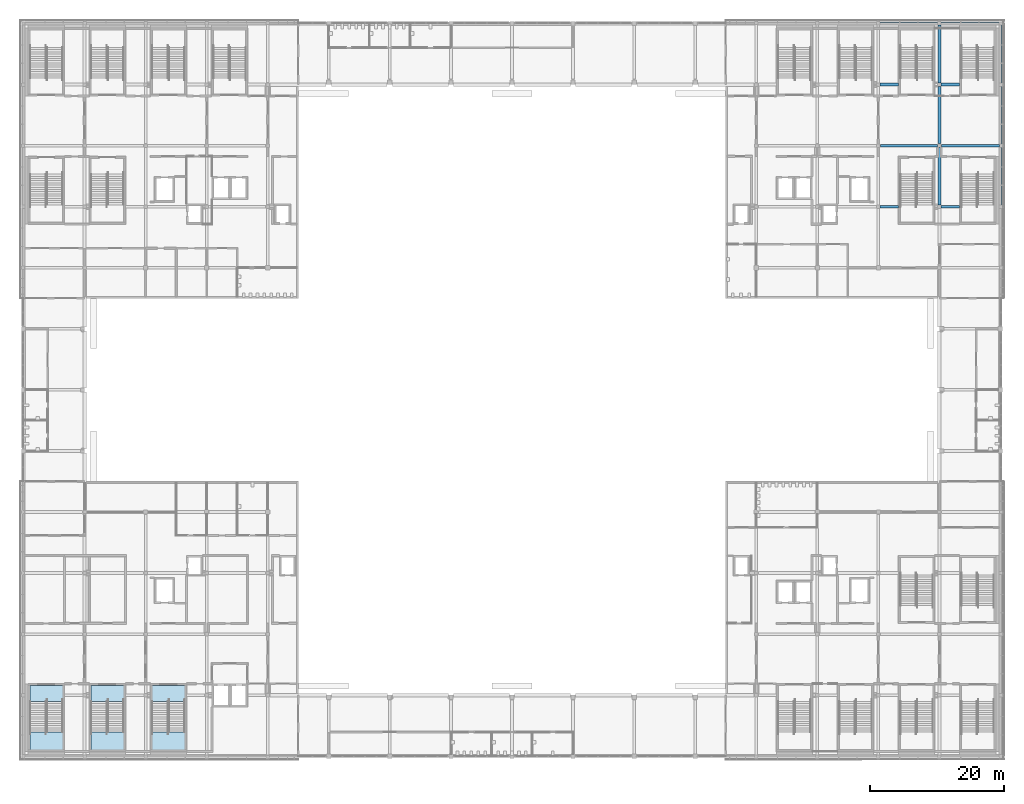
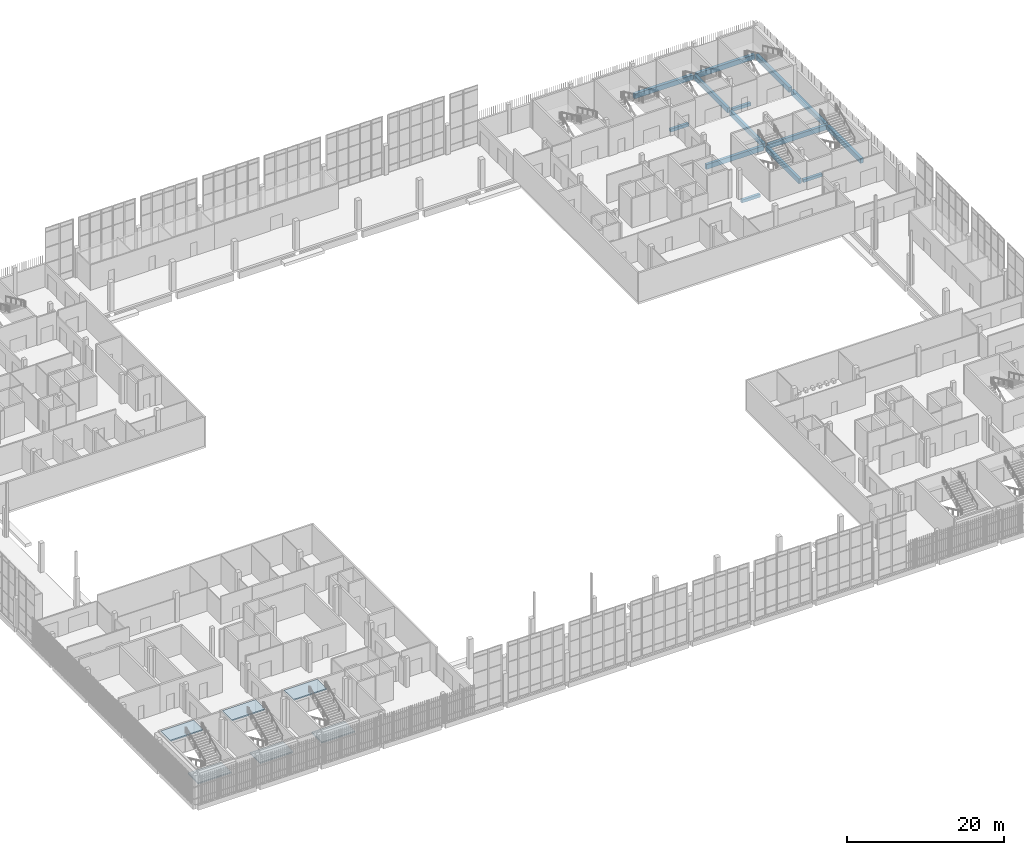
# One storey, part 29 of 91: 14 beams, 6 slabs, 3 elements without a shape of their own.
"""IFC4 building model written with IfcOpenShell, lengths in metres."""

import ifcopenshell
import ifcopenshell.guid

model = None  # the IFC model being written
_history = None  # IfcOwnerHistory: only IFC2X3 demands one
_inside = {}  # id of a spatial element -> (the spatial element, [elements in it])
_under = {}  # id of a project, library or spatial element -> (it, [spatial elements below it])
_declared = {}  # id of a project -> (the project, [libraries it declares])
_typed = {}  # id of a type object -> (the type object, [elements of that type])
_made_of = {}  # id of a material, layer set ... -> (it, [elements and type objects made of it])


def new_model(schema):
    """Start an empty IFC model of exactly this schema.

    Asked for "IFC4X3", IfcOpenShell would pick the latest addendum, in which some entities
    have other attributes; the version numbers below select the first issue.
    IFC2X3 requires an IfcOwnerHistory on every rooted entity: one is made here for all.
    """
    global model, _history
    if schema == "IFC4X3":
        model = ifcopenshell.file(schema_version=(4, 3, 0, 0))
    else:
        model = ifcopenshell.file(schema=schema)
    _inside.clear()
    _under.clear()
    _declared.clear()
    _typed.clear()
    _made_of.clear()
    _history = None
    if model.schema == "IFC2X3":
        org = make("IfcOrganization", Name="unknown")
        user = make(
            "IfcPersonAndOrganization",
            ThePerson=make("IfcPerson", FamilyName="unknown"),
            TheOrganization=org,
        )
        app = make(
            "IfcApplication",
            ApplicationDeveloper=org,
            Version="unknown",
            ApplicationFullName="unknown",
            ApplicationIdentifier="unknown",
        )
        _history = make(
            "IfcOwnerHistory",
            OwningUser=user,
            OwningApplication=app,
            ChangeAction="ADDED",
            CreationDate=0,
        )
    return model


def make(cls, **values):
    """One entity of the class cls with the attributes given. An attribute that is None is left unset."""
    return model.create_entity(
        cls, **{name: value for name, value in values.items() if value is not None}
    )


def rooted(cls, **values):
    """An entity with a GlobalId (a new one), such as an element, a storey or a relation."""
    return make(cls, GlobalId=ifcopenshell.guid.new(), OwnerHistory=_history, **values)


def si_unit(unit_type, name, prefix=None):
    """IfcSIUnit, for example si_unit("LENGTHUNIT", "METRE", prefix="MILLI")."""
    return make("IfcSIUnit", UnitType=unit_type, Prefix=prefix, Name=name)


def assignment(units):
    """IfcUnitAssignment: the units of a project."""
    return None if units is None else make("IfcUnitAssignment", Units=units)


def point(xyz):
    """IfcCartesianPoint."""
    return None if xyz is None else make("IfcCartesianPoint", Coordinates=xyz)


def direction(xyz):
    """IfcDirection."""
    return None if xyz is None else make("IfcDirection", DirectionRatios=xyz)


def frame(location, z_axis=None, x_axis=None):
    """IfcAxis2Placement3D, a coordinate frame: its origin and axes. An axis left out is left unset."""
    return make(
        "IfcAxis2Placement3D",
        Location=point(location),
        Axis=direction(z_axis),
        RefDirection=direction(x_axis),
    )


def frame_2d(location, x_axis=None):
    """IfcAxis2Placement2D, a coordinate frame in the plane: its origin and x axis."""
    return make(
        "IfcAxis2Placement2D", Location=point(location), RefDirection=direction(x_axis)
    )


def origin():
    """The frame at (0, 0, 0) with its axes left unset."""
    return frame((0.0, 0.0, 0.0))


def origin_2d():
    """The frame at (0, 0) in the plane with its x axis left unset."""
    return frame_2d((0.0, 0.0))


def place(relative_to, where):
    """IfcLocalPlacement: puts the frame where relative to a parent placement (None: the world)."""
    return make(
        "IfcLocalPlacement", PlacementRelTo=relative_to, RelativePlacement=where
    )


def context(
    kind, dimensions, precision=None, world=None, true_north=None, identifier=None
):
    """IfcGeometricRepresentationContext, for example the 3D "Model" context."""
    return make(
        "IfcGeometricRepresentationContext",
        ContextIdentifier=identifier,
        ContextType=kind,
        CoordinateSpaceDimension=dimensions,
        Precision=precision,
        WorldCoordinateSystem=world,
        TrueNorth=true_north,
    )


def subcontext(parent, identifier, kind, view, scale=None):
    """IfcGeometricRepresentationSubContext, for example "Body" below "Model"."""
    return make(
        "IfcGeometricRepresentationSubContext",
        ContextIdentifier=identifier,
        ContextType=kind,
        ParentContext=parent,
        TargetScale=scale,
        TargetView=view,
    )


def project(units=None, contexts=None):
    """IfcProject with its units and contexts."""
    return rooted(
        "IfcProject",
        Name="project",
        RepresentationContexts=contexts,
        UnitsInContext=assignment(units),
    )


def spatial(cls, under=None, at=None, **own):
    """A site, building, storey or space (cls), placed at a placement, below another one or the project."""
    s = rooted(cls, ObjectPlacement=at, **own)
    if under is not None:
        _under.setdefault(under.id(), (under, []))[1].append(s)
    return s


def polyline(points):
    """IfcPolyline through the points."""
    return make("IfcPolyline", Points=[point(p) for p in points])


def profile(cls, at=None, kind="AREA", **sizes):
    """A parametric profile (cls). Its sizes go by their IFC names, for example OverallWidth=200.0."""
    return make(cls, ProfileType=kind, Position=at, **sizes)


def rectangle(**sizes):
    """IfcRectangleProfileDef."""
    return profile("IfcRectangleProfileDef", **sizes)


def outline(outer, holes=None, kind="AREA"):
    """IfcArbitraryClosedProfileDef: a profile drawn as a closed curve; with holes, ...WithVoids."""
    if holes is None:
        return make("IfcArbitraryClosedProfileDef", ProfileType=kind, OuterCurve=outer)
    return make(
        "IfcArbitraryProfileDefWithVoids",
        ProfileType=kind,
        OuterCurve=outer,
        InnerCurves=holes,
    )


def extrude(swept, where, along, depth):
    """IfcExtrudedAreaSolid: the profile swept, set in the frame where, extruded along a direction by depth."""
    return make(
        "IfcExtrudedAreaSolid",
        SweptArea=swept,
        Position=where,
        ExtrudedDirection=direction(along),
        Depth=depth,
    )


def shape(context_of_items, identifier, shape_type, items):
    """IfcShapeRepresentation: the items that make up one representation, for example the "Body"."""
    return make(
        "IfcShapeRepresentation",
        ContextOfItems=context_of_items,
        RepresentationIdentifier=identifier,
        RepresentationType=shape_type,
        Items=items,
    )


def material(Name=None, Category=None):
    """IfcMaterial."""
    return make("IfcMaterial", Name=Name, Category=Category)


def layer(
    of_material, thickness, ventilated=None, Name=None, Category=None, Priority=None
):
    """IfcMaterialLayer: one layer of a wall or slab, of a material (None: an air gap)."""
    return make(
        "IfcMaterialLayer",
        Material=of_material,
        LayerThickness=thickness,
        IsVentilated=ventilated,
        Name=Name,
        Category=Category,
        Priority=Priority,
    )


def layer_set(layers, Name=None):
    """IfcMaterialLayerSet."""
    return make("IfcMaterialLayerSet", MaterialLayers=layers, LayerSetName=Name)


def material_profile(
    of_material, cross_section, Name=None, Category=None, Priority=None
):
    """IfcMaterialProfile: a cross section and its material."""
    return make(
        "IfcMaterialProfile",
        Name=Name,
        Material=of_material,
        Profile=cross_section,
        Priority=Priority,
        Category=Category,
    )


def profile_set(profiles, Name=None, composite=None):
    """IfcMaterialProfileSet."""
    return make(
        "IfcMaterialProfileSet",
        Name=Name,
        MaterialProfiles=profiles,
        CompositeProfile=composite,
    )


def made_of(thing, what):
    """Note that an element or type object is made of a material, layer set ...; save() writes the relation."""
    if what is not None:
        _made_of.setdefault(what.id(), (what, []))[1].append(thing)
    return thing


def type_object(cls, material=None, **own):
    """A type object (cls), such as IfcWallType, which elements share."""
    return made_of(rooted(cls, **own), material)


def element(
    cls,
    number,
    at=None,
    inside=None,
    cuts=None,
    type_object=None,
    material=None,
    context=None,
    identifier="Body",
    shape_type=None,
    held_by="IfcProductDefinitionShape",
    body=None,
    shapes=None,
    **own,
):
    """One element of the class cls, such as IfcWall. Its Tag is "e" and its number.

    at: its placement. inside: the storey or other place that contains it. cuts: it is an
    opening in that element (IfcRelVoidsElement). A single representation is given by context,
    identifier, shape_type and body (its items); several are given by shapes. held_by: the class
    of the entity that holds the representations. save() writes the other relations.
    """
    e = rooted(cls, Tag="e%d" % number, ObjectPlacement=at, **own)
    if body is not None:
        shapes = [shape(context, identifier, shape_type, body)]
    if shapes is not None:
        e.Representation = make(held_by, Representations=shapes)
    if inside is not None:
        _inside.setdefault(inside.id(), (inside, []))[1].append(e)
    if cuts is not None:
        rooted(
            "IfcRelVoidsElement", RelatingBuildingElement=cuts, RelatedOpeningElement=e
        )
    if type_object is not None:
        _typed.setdefault(type_object.id(), (type_object, []))[1].append(e)
    return made_of(e, material)


def aggregate(whole, parts):
    """IfcRelAggregates: a whole, such as a stair, and the parts it consists of."""
    return rooted("IfcRelAggregates", RelatingObject=whole, RelatedObjects=parts)


def save(model, path):
    """Write the relations noted so far, then the file.

    IfcRelAggregates (storeys below a building ...), IfcRelContainedInSpatialStructure (elements
    in a storey), IfcRelDefinesByType, IfcRelAssociatesMaterial and IfcRelDeclares: one each for
    every whole, place, type object, material and project.
    """
    for whole, parts in _under.values():
        aggregate(whole, parts)
    for where, things in _inside.values():
        rooted(
            "IfcRelContainedInSpatialStructure",
            RelatedElements=things,
            RelatingStructure=where,
        )
    for kind, things in _typed.values():
        rooted("IfcRelDefinesByType", RelatedObjects=things, RelatingType=kind)
    for what, things in _made_of.values():
        rooted("IfcRelAssociatesMaterial", RelatedObjects=things, RelatingMaterial=what)
    for by, libraries in _declared.values():
        rooted("IfcRelDeclares", RelatingContext=by, RelatedDefinitions=libraries)
    model.write(path)


model = new_model("IFC4")

# Units and contexts
model_context = context("Model", 3, precision=1e-05, world=origin(), true_north=direction((0.0, 1.0)))
body_context = subcontext(model_context, "Body", "Model", "MODEL_VIEW")
ifc_project = project(units=[si_unit("LENGTHUNIT", "METRE"), si_unit("AREAUNIT", "SQUARE_METRE"), si_unit("VOLUMEUNIT", "CUBIC_METRE"), si_unit("PLANEANGLEUNIT", "RADIAN"), si_unit("MASSUNIT", "GRAM", prefix="KILO")], contexts=[model_context])

# Site, building, storey
site_placement = place(None, origin())
site = spatial("IfcSite", under=ifc_project, at=site_placement, CompositionType="ELEMENT")
building_placement = place(site_placement, origin())
building = spatial("IfcBuilding", under=site, at=building_placement, Name="Shirokan Park Arena", CompositionType="ELEMENT")
storey_placement = place(building_placement, frame((0.0, 0.0, 24.570068359375)))
storey = spatial("IfcBuildingStorey", under=building, at=storey_placement, Name="L05", CompositionType="ELEMENT", Elevation=24.570068359375)

# Beams
ifc_material_1 = material(Name="Concrete C35", Category="concrete")
ifc_material_profile_1 = material_profile(ifc_material_1, rectangle(XDim=0.39990234375, YDim=0.75, at=origin_2d()), Name="400x750")
ifc_profile_set_1 = profile_set([ifc_material_profile_1], Name="Concrete C35")
beam_type_1 = type_object("IfcBeamType", Name="RC girder 400x750", PredefinedType="BEAM", material=ifc_profile_set_1)
beam_1_placement = place(storey_placement, frame((127.7001953125, 91.0, -0.675048828125), z_axis=(1.0, 0.0, 0.0), x_axis=(0.0, 1.0, 0.0)))
element("IfcBeam", 1, at=beam_1_placement, inside=storey, type_object=beam_type_1, Name="Girder 15L-16L L05", PredefinedType="BEAM", context=body_context, shape_type="SweptSolid", body=[
    extrude(rectangle(XDim=0.39990234375, YDim=0.75, at=origin_2d()), origin(), (0.0, 0.0, 1.0), 8.499755859375),
])
beam_2_placement = place(storey_placement, frame((136.800048828125, 91.0, -0.675048828125), z_axis=(1.0, 0.0, 0.0), x_axis=(0.0, 1.0, 0.0)))
element("IfcBeam", 2, at=beam_2_placement, inside=storey, type_object=beam_type_1, Name="Girder 16L-17L L05", PredefinedType="BEAM", context=body_context, shape_type="SweptSolid", body=[
    extrude(rectangle(XDim=0.39990234375, YDim=0.75, at=origin_2d()), origin(), (0.0, 0.0, 1.0), 8.624755859375),
])
for number, where, z_axis, x_axis, name in (
    (3, (136.5, 82.150146484375, -0.675048828125), (0.0, 1.0, 0.0), (-1.0, 0.0, 0.0), "Girder 16K-16L L05"),
    (4, (136.5, 91.300048828125, -0.675048828125), (0.0, 1.0, 0.0), (-1.0, 0.0, 0.0), "Girder 16L-16M L05"),
):
    element("IfcBeam", number, at=place(storey_placement, frame(where, z_axis=z_axis, x_axis=x_axis)), inside=storey, type_object=beam_type_1, Name=name, PredefinedType="BEAM", context=body_context, shape_type="SweptSolid", body=[
        extrude(rectangle(XDim=0.39990234375, YDim=0.75, at=origin_2d()), origin(), (0.0, 0.0, 1.0), 8.5498046875),
    ])
beam_3_placement = place(storey_placement, frame((136.5, 100.35009765625, -0.675048828125), z_axis=(0.0, 1.0, 0.0), x_axis=(-1.0, 0.0, 0.0)))
element("IfcBeam", 5, at=beam_3_placement, inside=storey, type_object=beam_type_1, Name="Girder 16M-16N L05", PredefinedType="BEAM", context=body_context, shape_type="SweptSolid", body=[
    extrude(rectangle(XDim=0.39990234375, YDim=0.75, at=origin_2d()), origin(), (0.0, 0.0, 1.0), 8.624755859375),
])
ifc_material_profile_2 = material_profile(ifc_material_1, rectangle(XDim=0.449951171875, YDim=0.75, at=origin_2d()), Name="450x750")
ifc_profile_set_2 = profile_set([ifc_material_profile_2], Name="Concrete C35")
beam_type_2 = type_object("IfcBeamType", Name="RC girder 450x750", PredefinedType="BEAM", material=ifc_profile_set_2)
for number, where, z_axis, x_axis, name in (
    (6, (127.650146484375, 109.199951171875, -0.675048828125), (1.0, 0.0, 0.0), (0.0, 1.0, 0.0), "Girder 15N-16N L05"),
    (7, (136.75, 109.199951171875, -0.675048828125), (1.0, 0.0, 0.0), (0.0, 1.0, 0.0), "Girder 16N-17N L05"),
    (8, (145.60009765625, 82.150146484375, -0.675048828125), (0.0, 1.0, 0.0), (-1.0, 0.0, 0.0), "Girder 17K-17L L05"),
    (9, (145.60009765625, 91.25, -0.675048828125), (0.0, 1.0, 0.0), (-1.0, 0.0, 0.0), "Girder 17L-17M L05"),
    (10, (145.60009765625, 100.35009765625, -0.675048828125), (0.0, 1.0, 0.0), (-1.0, 0.0, 0.0), "Girder 17M-17N L05"),
):
    element("IfcBeam", number, at=place(storey_placement, frame(where, z_axis=z_axis, x_axis=x_axis)), inside=storey, type_object=beam_type_2, Name=name, PredefinedType="BEAM", context=body_context, shape_type="SweptSolid", body=[
        extrude(rectangle(XDim=0.449951171875, YDim=0.75, at=origin_2d()), origin(), (0.0, 0.0, 1.0), 8.599853515625),
    ])
ifc_material_profile_3 = material_profile(ifc_material_1, rectangle(XDim=0.39990234375, YDim=0.449951171875, at=origin_2d()), Name="400x450")
ifc_profile_set_3 = profile_set([ifc_material_profile_3], Name="Concrete C35")
beam_type_3 = type_object("IfcBeamType", Name="RC trimmer 400x450", PredefinedType="BEAM", material=ifc_profile_set_3)
beam_4_placement = place(storey_placement, frame((127.675048828125, 81.89990234375, -0.525146484375), z_axis=(1.0, 0.0, 0.0), x_axis=(0.0, 1.0, 0.0)))
element("IfcBeam", 11, at=beam_4_placement, inside=storey, type_object=beam_type_3, Name="Girder 15K-16K L05", PredefinedType="BEAM", context=body_context, shape_type="SweptSolid", body=[
    extrude(rectangle(XDim=0.39990234375, YDim=0.449951171875, at=origin_2d()), origin(), (0.0, 0.0, 1.0), 2.724853515625),
])
beam_5_placement = place(storey_placement, frame((127.650146484375, 100.10009765625, -0.525146484375), z_axis=(1.0, 0.0, 0.0), x_axis=(0.0, 1.0, 0.0)))
element("IfcBeam", 12, at=beam_5_placement, inside=storey, type_object=beam_type_3, Name="Girder 15M-16M L05", PredefinedType="BEAM", context=body_context, shape_type="SweptSolid", body=[
    extrude(rectangle(XDim=0.39990234375, YDim=0.449951171875, at=origin_2d()), origin(), (0.0, 0.0, 1.0), 2.749755859375),
])
for number, where, z_axis, x_axis, name in (
    (13, (136.75, 81.89990234375, -0.525146484375), (1.0, 0.0, 0.0), (0.0, 1.0, 0.0), "Girder 16K-17K L05"),
    (14, (136.75, 100.10009765625, -0.525146484375), (1.0, 0.0, 0.0), (0.0, 1.0, 0.0), "Girder 16M-17M L05"),
):
    element("IfcBeam", number, at=place(storey_placement, frame(where, z_axis=z_axis, x_axis=x_axis)), inside=storey, type_object=beam_type_3, Name=name, PredefinedType="BEAM", context=body_context, shape_type="SweptSolid", body=[
        extrude(rectangle(XDim=0.39990234375, YDim=0.449951171875, at=origin_2d()), origin(), (0.0, 0.0, 1.0), 2.75),
    ])

# Stair, slabs
ifc_material_2 = material(Name="Concrete C30 precast", Category="concrete")
stair_type = type_object("IfcStairType", Name="Stair 30 risers 152 x 327 2400 wide", PredefinedType="TWO_STRAIGHT_RUN_STAIR", material=ifc_material_2)
stair_1_placement = place(storey_placement, origin())
stair_1 = element("IfcStair", 15, at=stair_1_placement, inside=storey, type_object=stair_type, Name="Exit Stair 1.A L05 to L06", PredefinedType="TWO_STRAIGHT_RUN_STAIR")
ifc_layer = layer(ifc_material_2, 0.199951171875)
ifc_layer_set = layer_set([ifc_layer], Name="Concrete C30 precast 200 mm")
slab_type = type_object("IfcSlabType", Name="Stair landing 200", PredefinedType="LANDING", material=ifc_layer_set)
slab_1_placement = place(storey_placement, frame((0.0, 0.0, 2.074951171875)))
slab_1 = element("IfcSlab", 16, at=slab_1_placement, type_object=slab_type, Name="ST01.6 landing 1", PredefinedType="LANDING", context=body_context, shape_type="SweptSolid", body=[
    extrude(outline(polyline([(0.949951171875, 0.949951171875), (5.85009765625, 0.949951171875), (5.85009765625, 3.576171875), (0.949951171875, 3.576171875), (0.949951171875, 0.949951171875)])), origin(), (0.0, 0.0, 1.0), 0.199951171875),
])
slab_2_placement = place(storey_placement, frame((0.0, 0.0, 4.349853515625)))
slab_2 = element("IfcSlab", 17, at=slab_2_placement, type_object=slab_type, Name="ST01.6 landing 2", PredefinedType="LANDING", context=body_context, shape_type="SweptSolid", body=[
    extrude(outline(polyline([(0.949951171875, 8.14990234375), (5.85009765625, 8.14990234375), (5.85009765625, 10.550048828125), (0.949951171875, 10.550048828125), (0.949951171875, 8.14990234375)])), origin(), (0.0, 0.0, 1.0), 0.2001953125),
])
aggregate(stair_1, [slab_1, slab_2])

stair_2_placement = place(storey_placement, origin())
stair_2 = element("IfcStair", 18, at=stair_2_placement, inside=storey, type_object=stair_type, Name="Exit Stair 1.B L05 to L06", PredefinedType="TWO_STRAIGHT_RUN_STAIR")
slab_3_placement = place(storey_placement, frame((0.0, 0.0, 2.074951171875)))
slab_3 = element("IfcSlab", 19, at=slab_3_placement, type_object=slab_type, Name="ST02.6 landing 1", PredefinedType="LANDING", context=body_context, shape_type="SweptSolid", body=[
    extrude(outline(polyline([(10.050048828125, 0.949951171875), (14.949951171875, 0.949951171875), (14.949951171875, 3.576171875), (10.050048828125, 3.576171875), (10.050048828125, 0.949951171875)])), origin(), (0.0, 0.0, 1.0), 0.199951171875),
])
slab_4_placement = place(storey_placement, frame((0.0, 0.0, 4.349853515625)))
slab_4 = element("IfcSlab", 20, at=slab_4_placement, type_object=slab_type, Name="ST02.6 landing 2", PredefinedType="LANDING", context=body_context, shape_type="SweptSolid", body=[
    extrude(outline(polyline([(10.050048828125, 8.14990234375), (14.949951171875, 8.14990234375), (14.949951171875, 10.550048828125), (10.050048828125, 10.550048828125), (10.050048828125, 8.14990234375)])), origin(), (0.0, 0.0, 1.0), 0.2001953125),
])
aggregate(stair_2, [slab_3, slab_4])

stair_3_placement = place(storey_placement, origin())
stair_3 = element("IfcStair", 21, at=stair_3_placement, inside=storey, type_object=stair_type, Name="Exit Stair 1.C L05 to L06", PredefinedType="TWO_STRAIGHT_RUN_STAIR")
slab_5_placement = place(storey_placement, frame((0.0, 0.0, 2.074951171875)))
slab_5 = element("IfcSlab", 22, at=slab_5_placement, type_object=slab_type, Name="ST03.6 landing 1", PredefinedType="LANDING", context=body_context, shape_type="SweptSolid", body=[
    extrude(outline(polyline([(19.14990234375, 0.949951171875), (24.050048828125, 0.949951171875), (24.050048828125, 3.576171875), (19.14990234375, 3.576171875), (19.14990234375, 0.949951171875)])), origin(), (0.0, 0.0, 1.0), 0.199951171875),
])
slab_6_placement = place(storey_placement, frame((0.0, 0.0, 4.349853515625)))
slab_6 = element("IfcSlab", 23, at=slab_6_placement, type_object=slab_type, Name="ST03.6 landing 2", PredefinedType="LANDING", context=body_context, shape_type="SweptSolid", body=[
    extrude(outline(polyline([(19.14990234375, 8.14990234375), (24.050048828125, 8.14990234375), (24.050048828125, 10.550048828125), (19.14990234375, 10.550048828125), (19.14990234375, 8.14990234375)])), origin(), (0.0, 0.0, 1.0), 0.2001953125),
])
aggregate(stair_3, [slab_5, slab_6])

save(model, "model.ifc")
